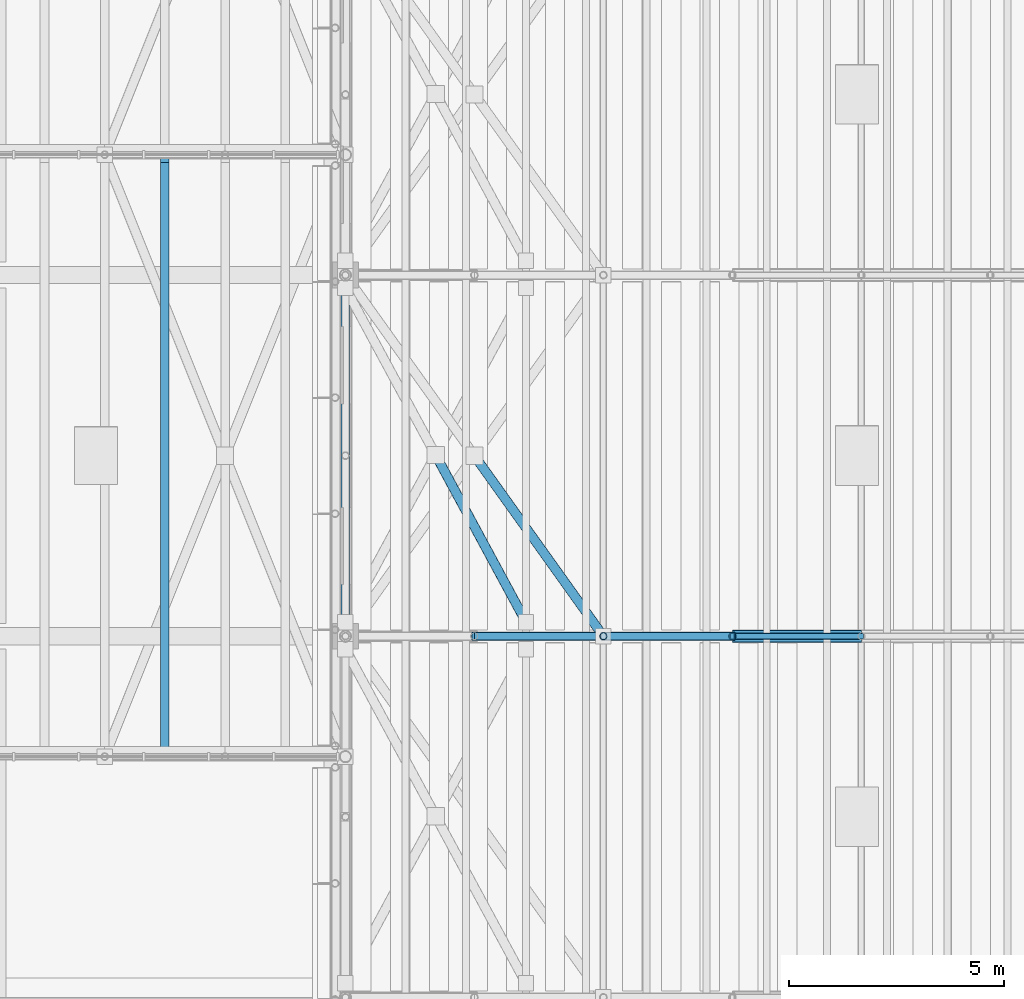
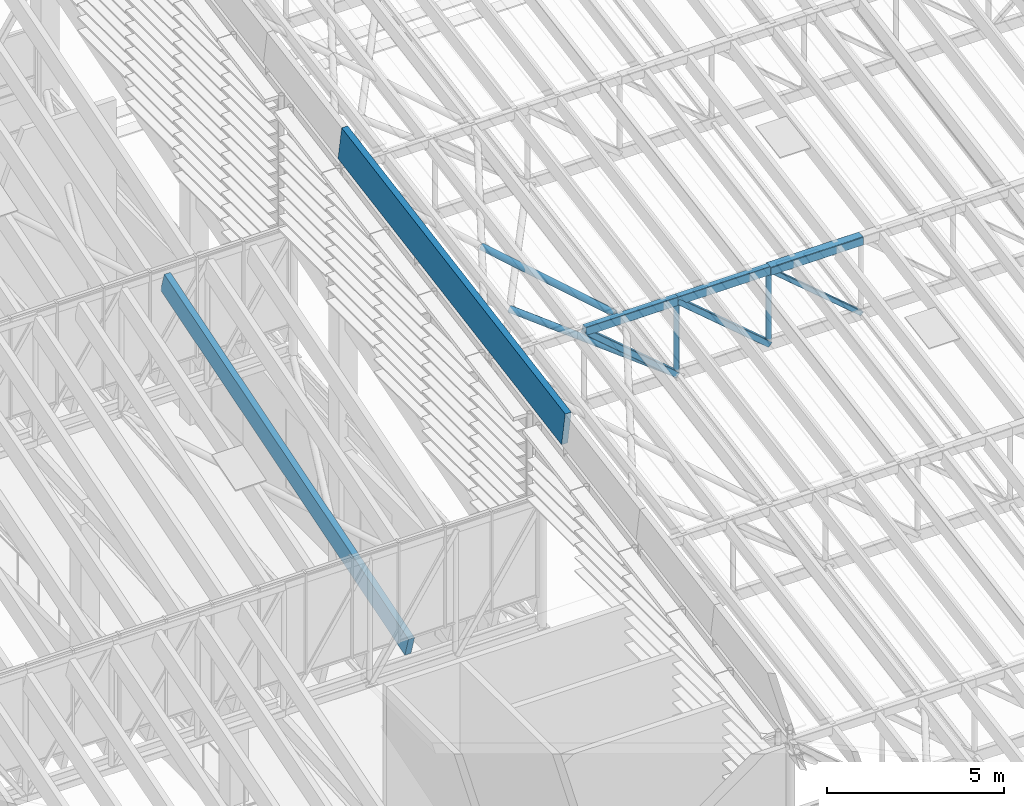
# One storey, part 22 of 91: 11 members, 1 beam.
"""IFC4 building model written with IfcOpenShell, lengths in metres."""

from ifc_helpers import new_model, si_unit, direction, frame, origin, origin_2d, place, context, subcontext, project, spatial, rectangle, hollow_rectangle, hollow_circle, extrude, material, material_profile, profile_set, type_object, element, save


model = new_model("IFC4")

# Units and contexts
model_context = context("Model", 3, precision=1e-05, world=origin(), true_north=direction((0.0, 1.0)))
body_context = subcontext(model_context, "Body", "Model", "MODEL_VIEW")
ifc_project = project(units=[si_unit("LENGTHUNIT", "METRE"), si_unit("AREAUNIT", "SQUARE_METRE"), si_unit("VOLUMEUNIT", "CUBIC_METRE"), si_unit("PLANEANGLEUNIT", "RADIAN"), si_unit("MASSUNIT", "GRAM", prefix="KILO")], contexts=[model_context])

# Site, building, storey
site_placement = place(None, origin())
site = spatial("IfcSite", under=ifc_project, at=site_placement, CompositionType="ELEMENT")
building_placement = place(site_placement, origin())
building = spatial("IfcBuilding", under=site, at=building_placement, Name="Almond Square Museum", CompositionType="ELEMENT")
storey_placement = place(building_placement, frame((0.0, 0.0, 30.0)))
storey = spatial("IfcBuildingStorey", under=building, at=storey_placement, Name="L05", CompositionType="ELEMENT", Elevation=30.0)

# Member
ifc_material_1 = material(Name="Glulam GL28h", Category="wood")
ifc_material_profile_1 = material_profile(ifc_material_1, rectangle(XDim=0.199951171875, YDim=0.699951171875, at=origin_2d()))
ifc_profile_set_1 = profile_set([ifc_material_profile_1], Name="Glulam GL28h")
member_type_1 = type_object("IfcMemberType", Name="Glulam rafter GL28h 200x700", PredefinedType="RAFTER", material=ifc_profile_set_1)
member_1_placement = place(storey_placement, frame((102.60009765625, 81.35791015625, 5.377685546875), z_axis=(0.0, 0.956305482031, 0.29236932985), x_axis=(-1.0, 0.0, 0.0)))
element("IfcMember", 1, at=member_1_placement, inside=storey, type_object=member_type_1, Name="Atrium rafter 2.22", PredefinedType="RAFTER", context=body_context, shape_type="SweptSolid", body=[
    extrude(rectangle(XDim=0.199951171875, YDim=0.699951171875, at=origin_2d()), origin(), (0.0, 0.0, 1.0), 14.396240234375),
])

# Beam
ifc_material_2 = material(Name="Glulam GL28h", Category="wood")
ifc_material_profile_2 = material_profile(ifc_material_2, rectangle(XDim=0.199951171875, YDim=1.199951171875, at=origin_2d()))
ifc_profile_set_2 = profile_set([ifc_material_profile_2], Name="Glulam GL28h")
beam_type = type_object("IfcBeamType", Name="Rake fascia beam GL28h 200x1200", PredefinedType="BEAM", material=ifc_profile_set_2)
beam_placement = place(storey_placement, frame((106.800048828125, 79.800048828125, 12.344970703125), z_axis=(0.0, 0.985029089756, 0.17238820242), x_axis=(-1.0, 0.0, 0.0)))
element("IfcBeam", 2, at=beam_placement, inside=storey, type_object=beam_type, Name="Gable rake fascia W 8 to 10", PredefinedType="BEAM", context=body_context, shape_type="SweptSolid", body=[
    extrude(rectangle(XDim=0.199951171875, YDim=1.199951171875, at=origin_2d()), origin(), (0.0, 0.0, 1.0), 12.791259765625),
])

# Members
ifc_material_3 = material(Name="Structural steel S355", Category="steel")
ifc_material_profile_3 = material_profile(ifc_material_3, hollow_circle(Radius=0.109619140625, WallThickness=0.010009765625, at=origin_2d()))
ifc_profile_set_3 = profile_set([ifc_material_profile_3], Name="Structural steel S355")
member_type_2 = type_object("IfcMemberType", Name="Roof brace CHS 219.1x10", PredefinedType="BRACE", material=ifc_profile_set_3)
member_2_placement = place(storey_placement, frame((112.800048828125, 84.0, 9.580078125), z_axis=(-0.575439424931, 0.805605829028, 0.140956434655), x_axis=(-0.813730275137, -0.581242668191, 0.0)))
element("IfcMember", 3, at=member_2_placement, inside=storey, type_object=member_type_2, Name="Hall bay 5 plan brace", PredefinedType="BRACE", context=body_context, shape_type="SweptSolid", body=[
    extrude(hollow_circle(Radius=0.109619140625, WallThickness=0.010009765625, at=origin_2d()), origin(), (0.0, 0.0, 1.0), 5.21337890625),
])
member_3_placement = place(storey_placement, frame((111.0, 84.330078125, 12.08251953125), z_axis=(-0.469999472335, 0.869460776943, 0.152113291209), x_axis=(-0.879697763355, -0.475533221918, 0.0)))
element("IfcMember", 4, at=member_3_placement, inside=storey, type_object=member_type_2, Name="Hall roof plane brace 5", PredefinedType="BRACE", context=body_context, shape_type="SweptSolid", body=[
    extrude(hollow_circle(Radius=0.109619140625, WallThickness=0.010009765625, at=origin_2d()), origin(), (0.0, 0.0, 1.0), 4.46826171875),
])
ifc_material_4 = material(Name="Structural steel S355", Category="steel")
ifc_material_profile_4 = material_profile(ifc_material_4, hollow_rectangle(XDim=0.199951171875, YDim=0.300048828125, WallThickness=0.010009765625, InnerFilletRadius=0.014892578125, OuterFilletRadius=0.02490234375, at=origin_2d()))
ifc_profile_set_4 = profile_set([ifc_material_profile_4], Name="Structural steel S355")
member_type_3 = type_object("IfcMemberType", Name="Truss chord RHS 300x200x10", PredefinedType="CHORD", material=ifc_profile_set_4)
for number, where, z_axis, x_axis, name in (
    (5, (109.800048828125, 84.0, 12.12841796875), (1.0, 0.0, 0.0), (0.0, 1.0, 0.0), "TR-05 top chord 2"),
    (6, (112.800048828125, 84.0, 12.12841796875), (1.0, 0.0, 0.0), (0.0, 1.0, 0.0), "TR-05 top chord 3"),
):
    element("IfcMember", number, at=place(storey_placement, frame(where, z_axis=z_axis, x_axis=x_axis)), inside=storey, type_object=member_type_3, Name=name, PredefinedType="CHORD", context=body_context, shape_type="SweptSolid", body=[
        extrude(hollow_rectangle(XDim=0.199951171875, YDim=0.300048828125, WallThickness=0.010009765625, InnerFilletRadius=0.014892578125, OuterFilletRadius=0.02490234375, at=origin_2d()), origin(), (0.0, 0.0, 1.0), 3.0),
    ])
ifc_material_5 = material(Name="Structural steel S355", Category="steel")
ifc_material_profile_5 = material_profile(ifc_material_5, hollow_rectangle(XDim=0.300048828125, YDim=0.300048828125, WallThickness=0.012451171875, InnerFilletRadius=0.02490234375, OuterFilletRadius=0.03759765625, at=origin_2d()))
ifc_profile_set_5 = profile_set([ifc_material_profile_5], Name="Structural steel S355")
member_type_4 = type_object("IfcMemberType", Name="Truss chord SHS 300x300x12.5", PredefinedType="CHORD", material=ifc_profile_set_5)
member_4_placement = place(storey_placement, frame((115.800048828125, 84.0, 12.12841796875), z_axis=(1.0, 0.0, 0.0), x_axis=(0.0, 1.0, 0.0)))
element("IfcMember", 7, at=member_4_placement, inside=storey, type_object=member_type_4, Name="TR-05 top chord 4", PredefinedType="CHORD", context=body_context, shape_type="SweptSolid", body=[
    extrude(hollow_rectangle(XDim=0.300048828125, YDim=0.300048828125, WallThickness=0.012451171875, InnerFilletRadius=0.02490234375, OuterFilletRadius=0.03759765625, at=origin_2d()), origin(), (0.0, 0.0, 1.0), 3.0),
])
ifc_material_6 = material(Name="Structural steel S355", Category="steel")
ifc_material_profile_6 = material_profile(ifc_material_6, hollow_rectangle(XDim=0.14990234375, YDim=0.14990234375, WallThickness=0.008056640625, InnerFilletRadius=0.011962890625, OuterFilletRadius=0.02001953125, at=origin_2d()))
ifc_profile_set_6 = profile_set([ifc_material_profile_6], Name="Structural steel S355")
member_type_5 = type_object("IfcMemberType", Name="Truss diagonal SHS 150x150x8", PredefinedType="BRACE", material=ifc_profile_set_6)
member_5_placement = place(storey_placement, frame((115.800048828125, 84.0, 12.12841796875), z_axis=(0.762147404437, 0.0, -0.647403532513), x_axis=(0.0, 1.0, 0.0)))
element("IfcMember", 8, at=member_5_placement, inside=storey, type_object=member_type_5, Name="TR-05 diagonal 4", PredefinedType="BRACE", context=body_context, shape_type="SweptSolid", body=[
    extrude(hollow_rectangle(XDim=0.14990234375, YDim=0.14990234375, WallThickness=0.008056640625, InnerFilletRadius=0.011962890625, OuterFilletRadius=0.02001953125, at=origin_2d()), origin(), (0.0, 0.0, 1.0), 3.936279296875),
])
ifc_material_7 = material(Name="Structural steel S355", Category="steel")
ifc_material_profile_7 = material_profile(ifc_material_7, hollow_rectangle(XDim=0.199951171875, YDim=0.199951171875, WallThickness=0.010009765625, InnerFilletRadius=0.014892578125, OuterFilletRadius=0.02490234375, at=origin_2d()))
ifc_profile_set_7 = profile_set([ifc_material_profile_7], Name="Structural steel S355")
member_type_6 = type_object("IfcMemberType", Name="Truss diagonal SHS 200x200x10", PredefinedType="BRACE", material=ifc_profile_set_7)
for number, where, z_axis, x_axis, name in (
    (9, (109.800048828125, 84.0, 12.12841796875), (0.762147404437, 0.0, -0.647403532513), (0.0, 1.0, 0.0), "TR-05 diagonal 2"),
    (10, (112.800048828125, 84.0, 12.12841796875), (0.762147404437, 0.0, -0.647403532513), (0.0, 1.0, 0.0), "TR-05 diagonal 3"),
):
    element("IfcMember", number, at=place(storey_placement, frame(where, z_axis=z_axis, x_axis=x_axis)), inside=storey, type_object=member_type_6, Name=name, PredefinedType="BRACE", context=body_context, shape_type="SweptSolid", body=[
        extrude(hollow_rectangle(XDim=0.199951171875, YDim=0.199951171875, WallThickness=0.010009765625, InnerFilletRadius=0.014892578125, OuterFilletRadius=0.02490234375, at=origin_2d()), origin(), (0.0, 0.0, 1.0), 3.936279296875),
    ])
ifc_material_8 = material(Name="Structural steel S355", Category="steel")
ifc_material_profile_8 = material_profile(ifc_material_8, hollow_circle(Radius=0.084228515625, WallThickness=0.008056640625, at=origin_2d()))
ifc_profile_set_8 = profile_set([ifc_material_profile_8], Name="Structural steel S355")
member_type_7 = type_object("IfcMemberType", Name="Truss post CHS 168.3x8", PredefinedType="POST", material=ifc_profile_set_8)
for number, where, z_axis, x_axis, name in (
    (11, (112.800048828125, 84.0, 9.580078125), (0.0, 0.0, 1.0), (1.0, 0.0, 0.0), "TR-05 post 3"),
    (12, (115.800048828125, 84.0, 9.580078125), (0.0, 0.0, 1.0), (1.0, 0.0, 0.0), "TR-05 post 4"),
):
    element("IfcMember", number, at=place(storey_placement, frame(where, z_axis=z_axis, x_axis=x_axis)), inside=storey, type_object=member_type_7, Name=name, PredefinedType="POST", context=body_context, shape_type="SweptSolid", body=[
        extrude(hollow_circle(Radius=0.084228515625, WallThickness=0.008056640625, at=origin_2d()), origin(), (0.0, 0.0, 1.0), 2.54833984375),
    ])

save(model, "model.ifc")
